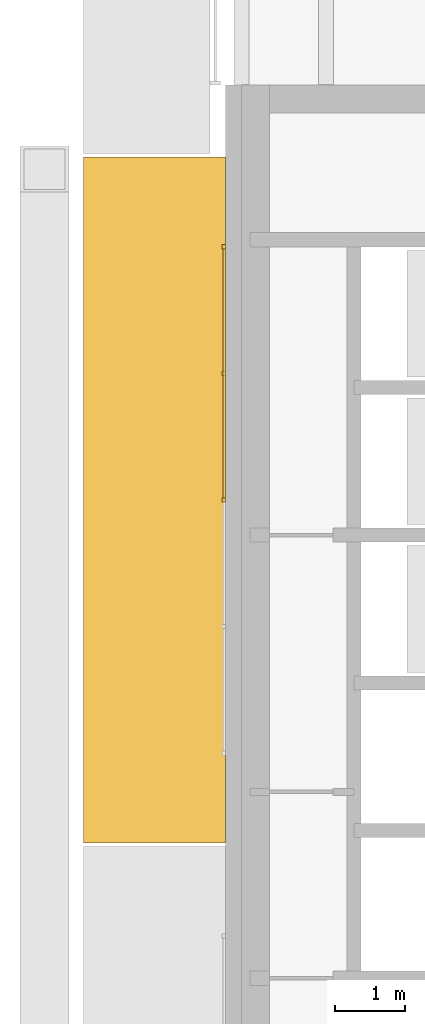
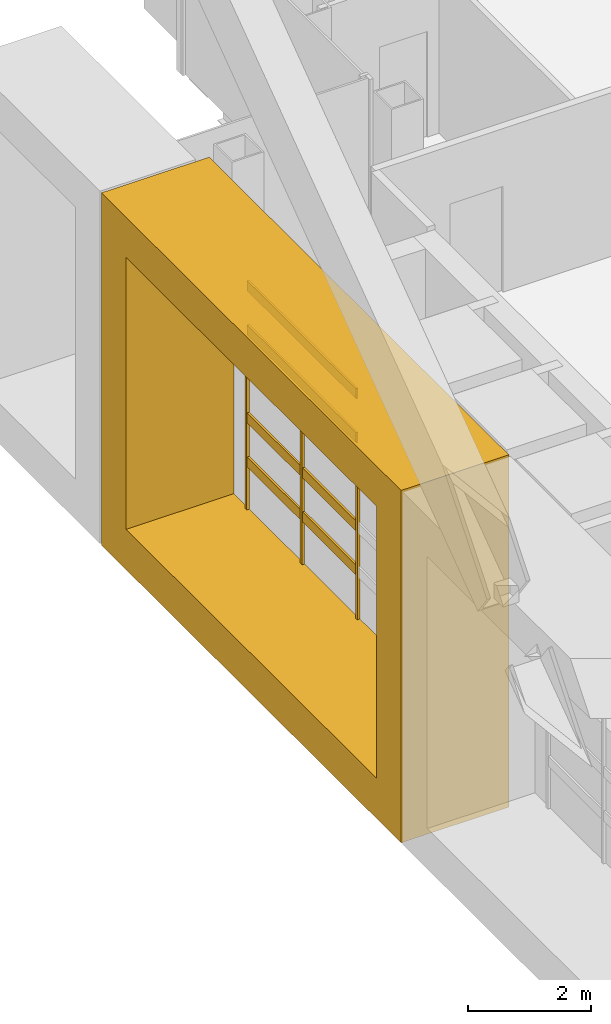
# One storey, part 18 of 23: 8 coverings.
"""IFC4 building model written with IfcOpenShell, lengths in metres."""

from ifc_helpers import new_model, si_unit, direction, frame, origin, origin_2d, place, context, subcontext, project, spatial, polyline, rectangle, outline, extrude, material, type_object, element, save


model = new_model("IFC4")

# Units and contexts
model_context = context("Model", 3, precision=1e-05, world=origin(), true_north=direction((0.0, 1.0)))
body_context = subcontext(model_context, "Body", "Model", "MODEL_VIEW")
ifc_project = project(units=[si_unit("LENGTHUNIT", "METRE"), si_unit("AREAUNIT", "SQUARE_METRE"), si_unit("VOLUMEUNIT", "CUBIC_METRE"), si_unit("PLANEANGLEUNIT", "RADIAN"), si_unit("MASSUNIT", "GRAM", prefix="KILO")], contexts=[model_context])

# Site, building, storey
site_placement = place(None, origin())
site = spatial("IfcSite", under=ifc_project, at=site_placement, CompositionType="ELEMENT")
building_placement = place(site_placement, origin())
building = spatial("IfcBuilding", under=site, at=building_placement, Name="Cobrizo Arcos Hotel Tower", CompositionType="ELEMENT")
storey_placement = place(building_placement, frame((0.0, 0.0, 262.0)))
storey = spatial("IfcBuildingStorey", under=building, at=storey_placement, Name="L69", CompositionType="ELEMENT", Elevation=262.0)

# Coverings
ifc_material_1 = material(Name="Aluminium 6063-T6 anodised bronze", Category="aluminium")
covering_type_1 = type_object("IfcCoveringType", Name="FIN-F 2025", PredefinedType="CLADDING", material=ifc_material_1)
covering_placement = place(storey_placement, frame((-20.625, 9.77490234375, 0.0), z_axis=(-1.0, 0.0, 0.0), x_axis=(0.0, -1.0, 0.0)))
element("IfcCovering", 1, at=covering_placement, inside=storey, type_object=covering_type_1, Name="Fin frame 436", PredefinedType="CLADDING", context=body_context, shape_type="SweptSolid", body=[
    extrude(outline(polyline([(0.0, 7.0), (0.0, 0.0), (9.75, 0.0), (9.75, 7.0), (0.0, 7.0)]), holes=[polyline([(8.949951171875, 0.800048828125), (0.800048828125, 0.800048828125), (0.800048828125, 6.199951171875), (8.949951171875, 6.199951171875), (8.949951171875, 0.800048828125)])]), origin(), (0.0, 0.0, 1.0), 2.02490234375),
])
ifc_material_2 = material(Name="Aluminium 6063-T6 anodised pale", Category="aluminium")
covering_type_2 = type_object("IfcCoveringType", Name="RS-2 rainscreen rib 60x50", PredefinedType="CLADDING", material=ifc_material_2)
for number, where, z_axis, x_axis, name in (
    (2, (-20.64990234375, 8.5, 0.800048828125), (0.0, 0.0, 1.0), (0.0, -1.0, 0.0), "Rainscreen rib 341"),
    (3, (-20.64990234375, 6.699951171875, 0.800048828125), (0.0, 0.0, 1.0), (0.0, -1.0, 0.0), "Rainscreen rib 342"),
    (4, (-20.64990234375, 4.89990234375, 0.800048828125), (0.0, 0.0, 1.0), (0.0, -1.0, 0.0), "Rainscreen rib 343"),
):
    element("IfcCovering", number, at=place(storey_placement, frame(where, z_axis=z_axis, x_axis=x_axis)), inside=storey, type_object=covering_type_2, Name=name, PredefinedType="CLADDING", context=body_context, shape_type="SweptSolid", body=[
        extrude(rectangle(XDim=0.06005859375, YDim=0.050048828125, at=origin_2d()), origin(), (0.0, 0.0, 1.0), 5.39990234375),
    ])
covering_type_3 = type_object("IfcCoveringType", Name="RS-3 rainscreen louvre slat 200x40", PredefinedType="CLADDING", material=ifc_material_2)
for number, where, z_axis, x_axis, name in (
    (5, (-20.64501953125, 6.699951171875, 1.64990234375), (0.0, 0.0, 1.0), (0.0, -1.0, 0.0), "Rainscreen slat 213"),
    (6, (-20.64501953125, 6.699951171875, 2.52490234375), (0.0, 0.0, 1.0), (0.0, -1.0, 0.0), "Rainscreen slat 214"),
    (7, (-20.64501953125, 6.699951171875, 4.27490234375), (0.0, 0.0, 1.0), (0.0, -1.0, 0.0), "Rainscreen slat 217"),
    (8, (-20.64501953125, 6.699951171875, 5.14990234375), (0.0, 0.0, 1.0), (0.0, -1.0, 0.0), "Rainscreen slat 218"),
):
    element("IfcCovering", number, at=place(storey_placement, frame(where, z_axis=z_axis, x_axis=x_axis)), inside=storey, type_object=covering_type_3, Name=name, PredefinedType="CLADDING", context=body_context, shape_type="SweptSolid", body=[
        extrude(rectangle(XDim=3.5400390625, YDim=0.0400390625, at=origin_2d()), origin(), (0.0, 0.0, 1.0), 0.199951171875),
    ])

save(model, "model.ifc")
